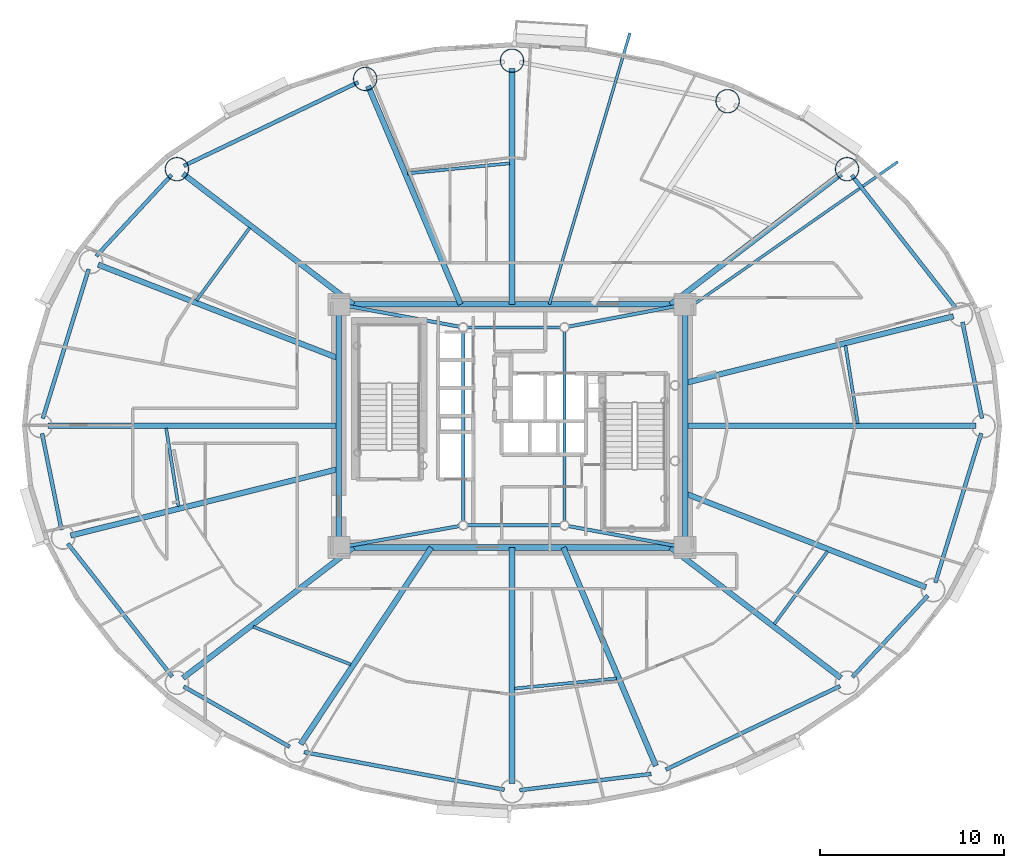
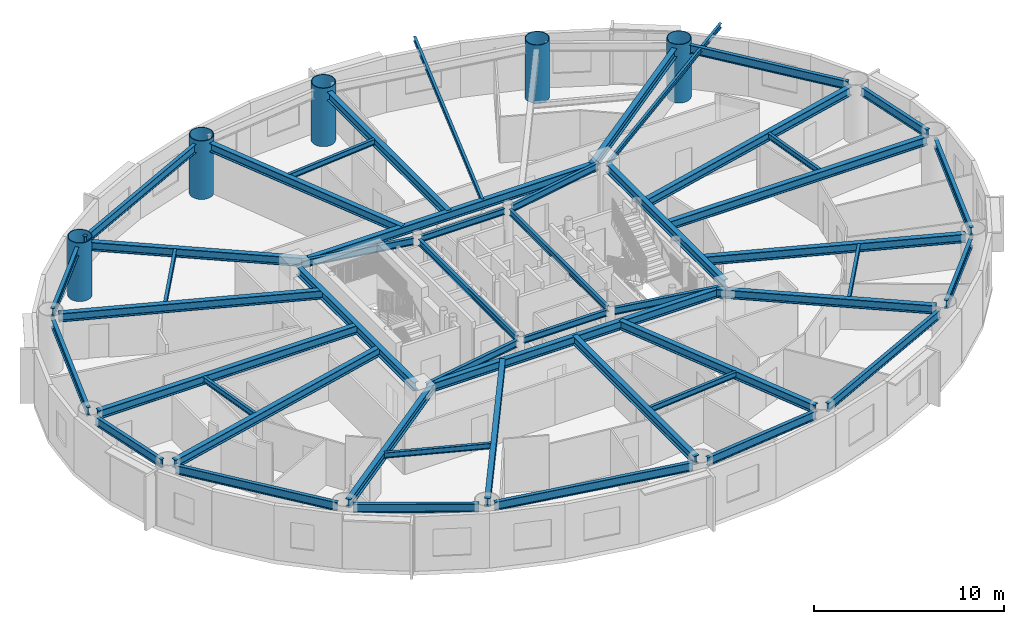
# One storey, part 3 of 18: 49 beams, 5 columns.
"""IFC4 building model written with IfcOpenShell, lengths in metres."""

from ifc_helpers import new_model, si_unit, direction, frame, origin, origin_2d, place, context, subcontext, project, spatial, hollow_circle, i_section, extrude, material, material_profile, profile_set, type_object, element, save


model = new_model("IFC4")

# Units and contexts
model_context = context("Model", 3, precision=1e-05, world=origin(), true_north=direction((0.0, 1.0)))
body_context = subcontext(model_context, "Body", "Model", "MODEL_VIEW")
ifc_project = project(units=[si_unit("LENGTHUNIT", "METRE"), si_unit("AREAUNIT", "SQUARE_METRE"), si_unit("VOLUMEUNIT", "CUBIC_METRE"), si_unit("PLANEANGLEUNIT", "RADIAN"), si_unit("MASSUNIT", "GRAM", prefix="KILO")], contexts=[model_context])

# Site, building, storey
site_placement = place(None, origin())
site = spatial("IfcSite", under=ifc_project, at=site_placement, CompositionType="ELEMENT")
building_placement = place(site_placement, origin())
building = spatial("IfcBuilding", under=site, at=building_placement, Name="Linh Dai School and Residence Tower", CompositionType="ELEMENT")
storey_placement = place(building_placement, frame((0.0, 0.0, 186.14990234375)))
storey = spatial("IfcBuildingStorey", under=building, at=storey_placement, Name="L45", CompositionType="ELEMENT", Elevation=186.14990234375)

# Columns
ifc_material = material(Name="Structural Steel S355JR", Category="steel")
ifc_material_profile_1 = material_profile(ifc_material, hollow_circle(Radius=0.64990234375, WallThickness=0.0400390625, at=origin_2d()), Name="CHS 1300x40")
ifc_profile_set_1 = profile_set([ifc_material_profile_1], Name="Structural Steel S355JR")
column_type = type_object("IfcColumnType", Name="COL-MC4", PredefinedType="COLUMN", material=ifc_profile_set_1)
for number, where, z_axis, x_axis, name in (
    (1, (54.1923828125, 40.941650390625, 0.0), (0.0, 0.0, 1.0), (1.0, 0.0, 0.0), "L45 Perimeter CFT Mega-Column MC03"),
    (2, (47.70556640625, 44.630859375, 0.0), (0.0, 0.0, 1.0), (1.0, 0.0, 0.0), "L45 Perimeter CFT Mega-Column MC04"),
    (3, (36.0, 46.830078125, 0.0), (0.0, 0.0, 1.0), (1.0, 0.0, 0.0), "L45 Perimeter CFT Mega-Column MC05"),
    (4, (28.026611328125, 45.84130859375, 0.0), (0.0, 0.0, 1.0), (1.0, 0.0, 0.0), "L45 Perimeter CFT Mega-Column MC06"),
    (5, (17.8076171875, 40.941650390625, 0.0), (0.0, 0.0, 1.0), (1.0, 0.0, 0.0), "L45 Perimeter CFT Mega-Column MC07"),
):
    element("IfcColumn", number, at=place(storey_placement, frame(where, z_axis=z_axis, x_axis=x_axis)), inside=storey, type_object=column_type, Name=name, PredefinedType="COLUMN", context=body_context, shape_type="SweptSolid", body=[
        extrude(hollow_circle(Radius=0.64990234375, WallThickness=0.0400390625, at=origin_2d()), origin(), (0.0, 0.0, 1.0), 3.75),
    ])

# Beams
ifc_material_profile_2 = material_profile(ifc_material, i_section(OverallWidth=0.14990234375, OverallDepth=0.300048828125, WebThickness=0.007080078125, FlangeThickness=0.0107421875, at=origin_2d()), Name="IPE 300")
ifc_profile_set_2 = profile_set([ifc_material_profile_2], Name="Structural Steel S355JR")
beam_type_1 = type_object("IfcBeamType", Name="BM-BALC-CANT", PredefinedType="BEAM", material=ifc_profile_set_2)
beam_1_placement = place(storey_placement, frame((45.39990234375, 33.270263671875, 3.35009765625), z_axis=(0.819647683793, 0.572867938056, 0.0), x_axis=(-0.572867938056, 0.819647683793, 0.0)))
element("IfcBeam", 6, at=beam_1_placement, inside=storey, type_object=beam_type_1, Name="L46 Balcony Continuous Cantilever Beam 05", PredefinedType="BEAM", context=body_context, shape_type="SweptSolid", body=[
    extrude(i_section(OverallWidth=0.14990234375, OverallDepth=0.300048828125, WebThickness=0.007080078125, FlangeThickness=0.0107421875, at=origin_2d()), origin(), (0.0, 0.0, 1.0), 14.089599609375),
])
beam_2_placement = place(storey_placement, frame((38.0283203125, 33.60009765625, 3.35009765625), z_axis=(0.284768682826, 0.958596263962, 0.0), x_axis=(-0.958596263962, 0.284768682826, 0.0)))
element("IfcBeam", 7, at=beam_2_placement, inside=storey, type_object=beam_type_1, Name="L46 Balcony Continuous Cantilever Beam 09", PredefinedType="BEAM", context=body_context, shape_type="SweptSolid", body=[
    extrude(i_section(OverallWidth=0.14990234375, OverallDepth=0.300048828125, WebThickness=0.007080078125, FlangeThickness=0.0107421875, at=origin_2d()), origin(), (0.0, 0.0, 1.0), 15.368408203125),
])
ifc_material_profile_3 = material_profile(ifc_material, i_section(OverallWidth=0.2099609375, OverallDepth=0.550048828125, WebThickness=0.010986328125, FlangeThickness=0.01708984375, FilletRadius=0.02392578125, at=origin_2d()), Name="IPE 550")
ifc_profile_set_3 = profile_set([ifc_material_profile_3], Name="Structural Steel S355JR")
beam_type_2 = type_object("IfcBeamType", Name="BM-RB55", PredefinedType="BEAM", material=ifc_profile_set_3)
beam_3_placement = place(storey_placement, frame((61.5166015625, 27.41162109375, 3.22509765625), z_axis=(-0.198420723955, 0.980116940117, 0.0), x_axis=(-0.980116940117, -0.198420723955, 0.0)))
element("IfcBeam", 8, at=beam_3_placement, inside=storey, type_object=beam_type_2, Name="L45 Perimeter Elliptical Ring Beam 01", PredefinedType="BEAM", context=body_context, shape_type="SweptSolid", body=[
    extrude(i_section(OverallWidth=0.2099609375, OverallDepth=0.550048828125, WebThickness=0.010986328125, FlangeThickness=0.01708984375, FilletRadius=0.02392578125, at=origin_2d()), origin(), (0.0, 0.0, 1.0), 5.33642578125),
])
beam_4_placement = place(storey_placement, frame((60.115478515625, 33.38427734375, 3.22509765625), z_axis=(-0.616852281883, 0.787078942887, 0.0), x_axis=(-0.787078942887, -0.616852281883, 0.0)))
element("IfcBeam", 9, at=beam_4_placement, inside=storey, type_object=beam_type_2, Name="L45 Perimeter Elliptical Ring Beam 02", PredefinedType="BEAM", context=body_context, shape_type="SweptSolid", body=[
    extrude(i_section(OverallWidth=0.2099609375, OverallDepth=0.550048828125, WebThickness=0.010986328125, FlangeThickness=0.01708984375, FilletRadius=0.02392578125, at=origin_2d()), origin(), (0.0, 0.0, 1.0), 9.181884765625),
])
beam_5_placement = place(storey_placement, frame((27.64794921875, 45.659912109375, 3.22509765625), z_axis=(-0.901708141823, -0.432345263614, 0.0), x_axis=(0.432345263614, -0.901708141823, 0.0)))
element("IfcBeam", 10, at=beam_5_placement, inside=storey, type_object=beam_type_2, Name="L45 Perimeter Elliptical Ring Beam 06", PredefinedType="BEAM", context=body_context, shape_type="SweptSolid", body=[
    extrude(i_section(OverallWidth=0.2099609375, OverallDepth=0.550048828125, WebThickness=0.010986328125, FlangeThickness=0.01708984375, FilletRadius=0.02392578125, at=origin_2d()), origin(), (0.0, 0.0, 1.0), 10.4931640625),
])
beam_6_placement = place(storey_placement, frame((17.521728515625, 40.6337890625, 3.22509765625), z_axis=(-0.680378035197, -0.732861330145, 0.0), x_axis=(0.732861330145, -0.680378035197, 0.0)))
element("IfcBeam", 11, at=beam_6_placement, inside=storey, type_object=beam_type_2, Name="L45 Perimeter Elliptical Ring Beam 07", PredefinedType="BEAM", context=body_context, shape_type="SweptSolid", body=[
    extrude(i_section(OverallWidth=0.2099609375, OverallDepth=0.550048828125, WebThickness=0.010986328125, FlangeThickness=0.01708984375, FilletRadius=0.02392578125, at=origin_2d()), origin(), (0.0, 0.0, 1.0), 6.024169921875),
])
beam_7_placement = place(storey_placement, frame((13.01416015625, 35.509765625, 3.22509765625), z_axis=(-0.29363681283, -0.955917058196, 0.0), x_axis=(0.955917058196, -0.29363681283, 0.0)))
element("IfcBeam", 12, at=beam_7_placement, inside=storey, type_object=beam_type_2, Name="L45 Perimeter Elliptical Ring Beam 08", PredefinedType="BEAM", context=body_context, shape_type="SweptSolid", body=[
    extrude(i_section(OverallWidth=0.2099609375, OverallDepth=0.550048828125, WebThickness=0.010986328125, FlangeThickness=0.01708984375, FilletRadius=0.02392578125, at=origin_2d()), origin(), (0.0, 0.0, 1.0), 8.482421875),
])
beam_8_placement = place(storey_placement, frame((10.4833984375, 26.58837890625, 3.22509765625), z_axis=(0.198420723955, -0.980116940117, 0.0), x_axis=(0.980116940117, 0.198420723955, 0.0)))
element("IfcBeam", 13, at=beam_8_placement, inside=storey, type_object=beam_type_2, Name="L45 Perimeter Elliptical Ring Beam 09", PredefinedType="BEAM", context=body_context, shape_type="SweptSolid", body=[
    extrude(i_section(OverallWidth=0.2099609375, OverallDepth=0.550048828125, WebThickness=0.010986328125, FlangeThickness=0.01708984375, FilletRadius=0.02392578125, at=origin_2d()), origin(), (0.0, 0.0, 1.0), 5.33642578125),
])
beam_9_placement = place(storey_placement, frame((11.884521484375, 20.61572265625, 3.22509765625), z_axis=(0.616852281883, -0.787078942887, 0.0), x_axis=(0.787078942887, 0.616852281883, 0.0)))
element("IfcBeam", 14, at=beam_9_placement, inside=storey, type_object=beam_type_2, Name="L45 Perimeter Elliptical Ring Beam 10", PredefinedType="BEAM", context=body_context, shape_type="SweptSolid", body=[
    extrude(i_section(OverallWidth=0.2099609375, OverallDepth=0.550048828125, WebThickness=0.010986328125, FlangeThickness=0.01708984375, FilletRadius=0.02392578125, at=origin_2d()), origin(), (0.0, 0.0, 1.0), 9.181884765625),
])
beam_10_placement = place(storey_placement, frame((18.172607421875, 12.8505859375, 3.22509765625), z_axis=(0.869262164011, -0.49435138335, 0.0), x_axis=(0.49435138335, 0.869262164011, 0.0)))
element("IfcBeam", 15, at=beam_10_placement, inside=storey, type_object=beam_type_2, Name="L45 Perimeter Elliptical Ring Beam 11", PredefinedType="BEAM", context=body_context, shape_type="SweptSolid", body=[
    extrude(i_section(OverallWidth=0.2099609375, OverallDepth=0.550048828125, WebThickness=0.010986328125, FlangeThickness=0.01708984375, FilletRadius=0.02392578125, at=origin_2d()), origin(), (0.0, 0.0, 1.0), 6.62255859375),
])
beam_11_placement = place(storey_placement, frame((24.707275390625, 9.29150390625, 3.22509765625), z_axis=(0.98280721278, -0.184634727255, 0.0), x_axis=(0.184634727255, 0.98280721278, 0.0)))
element("IfcBeam", 16, at=beam_11_placement, inside=storey, type_object=beam_type_2, Name="L45 Perimeter Elliptical Ring Beam 12", PredefinedType="BEAM", context=body_context, shape_type="SweptSolid", body=[
    extrude(i_section(OverallWidth=0.2099609375, OverallDepth=0.550048828125, WebThickness=0.010986328125, FlangeThickness=0.01708984375, FilletRadius=0.02392578125, at=origin_2d()), origin(), (0.0, 0.0, 1.0), 11.0703125),
])
beam_12_placement = place(storey_placement, frame((36.416748046875, 7.2216796875, 3.22509765625), z_axis=(0.992400597975, 0.123048986741, 0.0), x_axis=(-0.123048986741, 0.992400597975, 0.0)))
element("IfcBeam", 17, at=beam_12_placement, inside=storey, type_object=beam_type_2, Name="L45 Perimeter Elliptical Ring Beam 13", PredefinedType="BEAM", context=body_context, shape_type="SweptSolid", body=[
    extrude(i_section(OverallWidth=0.2099609375, OverallDepth=0.550048828125, WebThickness=0.010986328125, FlangeThickness=0.01708984375, FilletRadius=0.02392578125, at=origin_2d()), origin(), (0.0, 0.0, 1.0), 7.1943359375),
])
beam_13_placement = place(storey_placement, frame((44.35205078125, 8.340087890625, 3.22509765625), z_axis=(0.901708141823, 0.432345263614, 0.0), x_axis=(-0.432345263614, 0.901708141823, 0.0)))
element("IfcBeam", 18, at=beam_13_placement, inside=storey, type_object=beam_type_2, Name="L45 Perimeter Elliptical Ring Beam 14", PredefinedType="BEAM", context=body_context, shape_type="SweptSolid", body=[
    extrude(i_section(OverallWidth=0.2099609375, OverallDepth=0.550048828125, WebThickness=0.010986328125, FlangeThickness=0.01708984375, FilletRadius=0.02392578125, at=origin_2d()), origin(), (0.0, 0.0, 1.0), 10.4931640625),
])
beam_14_placement = place(storey_placement, frame((54.478271484375, 13.3662109375, 3.22509765625), z_axis=(0.680378035197, 0.732861330145, 0.0), x_axis=(-0.732861330145, 0.680378035197, 0.0)))
element("IfcBeam", 19, at=beam_14_placement, inside=storey, type_object=beam_type_2, Name="L45 Perimeter Elliptical Ring Beam 15", PredefinedType="BEAM", context=body_context, shape_type="SweptSolid", body=[
    extrude(i_section(OverallWidth=0.2099609375, OverallDepth=0.550048828125, WebThickness=0.010986328125, FlangeThickness=0.01708984375, FilletRadius=0.02392578125, at=origin_2d()), origin(), (0.0, 0.0, 1.0), 6.024169921875),
])
beam_15_placement = place(storey_placement, frame((58.98583984375, 18.490234375, 3.22509765625), z_axis=(0.29363681283, 0.955917058196, 0.0), x_axis=(-0.955917058196, 0.29363681283, 0.0)))
element("IfcBeam", 20, at=beam_15_placement, inside=storey, type_object=beam_type_2, Name="L45 Perimeter Elliptical Ring Beam 16", PredefinedType="BEAM", context=body_context, shape_type="SweptSolid", body=[
    extrude(i_section(OverallWidth=0.2099609375, OverallDepth=0.550048828125, WebThickness=0.010986328125, FlangeThickness=0.01708984375, FilletRadius=0.02392578125, at=origin_2d()), origin(), (0.0, 0.0, 1.0), 8.482421875),
])
ifc_material_profile_4 = material_profile(ifc_material, i_section(OverallWidth=0.300048828125, OverallDepth=0.550048828125, WebThickness=0.014892578125, FlangeThickness=0.029052734375, FilletRadius=0.027099609375, at=origin_2d()), Name="HEB 550")
ifc_profile_set_4 = profile_set([ifc_material_profile_4], Name="Structural Steel S355JR")
beam_type_3 = type_object("IfcBeamType", Name="BM-RG55", PredefinedType="BEAM", material=ifc_profile_set_4)
beam_16_placement = place(storey_placement, frame((27.02001953125, 20.39990234375, 3.22509765625), z_axis=(1.0, 0.0, 0.0), x_axis=(0.0, 1.0, 0.0)))
element("IfcBeam", 21, at=beam_16_placement, inside=storey, type_object=beam_type_3, Name="L45 Core Perimeter Coupling Girder 1", PredefinedType="BEAM", context=body_context, shape_type="SweptSolid", body=[
    extrude(i_section(OverallWidth=0.300048828125, OverallDepth=0.550048828125, WebThickness=0.014892578125, FlangeThickness=0.029052734375, FilletRadius=0.027099609375, at=origin_2d()), origin(), (0.0, 0.0, 1.0), 17.9599609375),
])
beam_17_placement = place(storey_placement, frame((45.39990234375, 20.820068359375, 3.22509765625), z_axis=(0.0, 1.0, 0.0), x_axis=(-1.0, 0.0, 0.0)))
element("IfcBeam", 22, at=beam_17_placement, inside=storey, type_object=beam_type_3, Name="L45 Core Perimeter Coupling Girder 2", PredefinedType="BEAM", context=body_context, shape_type="SweptSolid", body=[
    extrude(i_section(OverallWidth=0.300048828125, OverallDepth=0.550048828125, WebThickness=0.014892578125, FlangeThickness=0.029052734375, FilletRadius=0.027099609375, at=origin_2d()), origin(), (0.0, 0.0, 1.0), 12.35986328125),
])
beam_18_placement = place(storey_placement, frame((44.97998046875, 33.60009765625, 3.22509765625), z_axis=(-1.0, 0.0, 0.0), x_axis=(0.0, -1.0, 0.0)))
element("IfcBeam", 23, at=beam_18_placement, inside=storey, type_object=beam_type_3, Name="L45 Core Perimeter Coupling Girder 3", PredefinedType="BEAM", context=body_context, shape_type="SweptSolid", body=[
    extrude(i_section(OverallWidth=0.300048828125, OverallDepth=0.550048828125, WebThickness=0.014892578125, FlangeThickness=0.029052734375, FilletRadius=0.027099609375, at=origin_2d()), origin(), (0.0, 0.0, 1.0), 17.9599609375),
])
beam_19_placement = place(storey_placement, frame((26.60009765625, 33.179931640625, 3.22509765625), z_axis=(0.0, -1.0, 0.0), x_axis=(1.0, 0.0, 0.0)))
element("IfcBeam", 24, at=beam_19_placement, inside=storey, type_object=beam_type_3, Name="L45 Core Perimeter Coupling Girder 4", PredefinedType="BEAM", context=body_context, shape_type="SweptSolid", body=[
    extrude(i_section(OverallWidth=0.300048828125, OverallDepth=0.550048828125, WebThickness=0.014892578125, FlangeThickness=0.029052734375, FilletRadius=0.027099609375, at=origin_2d()), origin(), (0.0, 0.0, 1.0), 12.35986328125),
])
beam_20_placement = place(storey_placement, frame((45.39990234375, 27.0, 3.22509765625), z_axis=(1.0, 0.0, 0.0), x_axis=(0.0, 1.0, 0.0)))
element("IfcBeam", 25, at=beam_20_placement, inside=storey, type_object=beam_type_3, Name="L45 Primary Radial Floor Girder 01", PredefinedType="BEAM", context=body_context, shape_type="SweptSolid", body=[
    extrude(i_section(OverallWidth=0.300048828125, OverallDepth=0.550048828125, WebThickness=0.014892578125, FlangeThickness=0.029052734375, FilletRadius=0.027099609375, at=origin_2d()), origin(), (0.0, 0.0, 1.0), 15.780029296875),
])
beam_21_placement = place(storey_placement, frame((45.39990234375, 29.33447265625, 3.22509765625), z_axis=(0.970514508209, 0.24104271272, 0.0), x_axis=(-0.24104271272, 0.970514508209, 0.0)))
element("IfcBeam", 26, at=beam_21_placement, inside=storey, type_object=beam_type_3, Name="L45 Primary Radial Floor Girder 02", PredefinedType="BEAM", context=body_context, shape_type="SweptSolid", body=[
    extrude(i_section(OverallWidth=0.300048828125, OverallDepth=0.550048828125, WebThickness=0.014892578125, FlangeThickness=0.029052734375, FilletRadius=0.027099609375, at=origin_2d()), origin(), (0.0, 0.0, 1.0), 15.009521484375),
])
beam_22_placement = place(storey_placement, frame((44.6123046875, 33.60009765625, 3.22509765625), z_axis=(0.793732831925, 0.608266546445, 0.0), x_axis=(-0.608266546445, 0.793732831925, 0.0)))
element("IfcBeam", 27, at=beam_22_placement, inside=storey, type_object=beam_type_3, Name="L45 Primary Radial Floor Girder 03", PredefinedType="BEAM", context=body_context, shape_type="SweptSolid", body=[
    extrude(i_section(OverallWidth=0.300048828125, OverallDepth=0.550048828125, WebThickness=0.014892578125, FlangeThickness=0.029052734375, FilletRadius=0.027099609375, at=origin_2d()), origin(), (0.0, 0.0, 1.0), 11.64990234375),
])
beam_23_placement = place(storey_placement, frame((36.0, 33.60009765625, 3.22509765625), z_axis=(0.0, 1.0, 0.0), x_axis=(-1.0, 0.0, 0.0)))
element("IfcBeam", 28, at=beam_23_placement, inside=storey, type_object=beam_type_3, Name="L45 Primary Radial Floor Girder 05", PredefinedType="BEAM", context=body_context, shape_type="SweptSolid", body=[
    extrude(i_section(OverallWidth=0.300048828125, OverallDepth=0.550048828125, WebThickness=0.014892578125, FlangeThickness=0.029052734375, FilletRadius=0.027099609375, at=origin_2d()), origin(), (0.0, 0.0, 1.0), 12.809814453125),
])
beam_24_placement = place(storey_placement, frame((33.20703125, 33.60009765625, 3.22509765625), z_axis=(-0.389721661447, 0.920932693849, 0.0), x_axis=(-0.920932693849, -0.389721661447, 0.0)))
element("IfcBeam", 29, at=beam_24_placement, inside=storey, type_object=beam_type_3, Name="L45 Primary Radial Floor Girder 06", PredefinedType="BEAM", context=body_context, shape_type="SweptSolid", body=[
    extrude(i_section(OverallWidth=0.300048828125, OverallDepth=0.550048828125, WebThickness=0.014892578125, FlangeThickness=0.029052734375, FilletRadius=0.027099609375, at=origin_2d()), origin(), (0.0, 0.0, 1.0), 12.872314453125),
])
beam_25_placement = place(storey_placement, frame((27.3876953125, 33.60009765625, 3.22509765625), z_axis=(-0.793732831925, 0.608266546445, 0.0), x_axis=(-0.608266546445, -0.793732831925, 0.0)))
element("IfcBeam", 30, at=beam_25_placement, inside=storey, type_object=beam_type_3, Name="L45 Primary Radial Floor Girder 07", PredefinedType="BEAM", context=body_context, shape_type="SweptSolid", body=[
    extrude(i_section(OverallWidth=0.300048828125, OverallDepth=0.550048828125, WebThickness=0.014892578125, FlangeThickness=0.029052734375, FilletRadius=0.027099609375, at=origin_2d()), origin(), (0.0, 0.0, 1.0), 11.64990234375),
])
beam_26_placement = place(storey_placement, frame((26.60009765625, 30.663818359375, 3.22509765625), z_axis=(-0.931722873254, 0.363170053081, 0.0), x_axis=(-0.363170053081, -0.931722873254, 0.0)))
element("IfcBeam", 31, at=beam_26_placement, inside=storey, type_object=beam_type_3, Name="L45 Primary Radial Floor Girder 08", PredefinedType="BEAM", context=body_context, shape_type="SweptSolid", body=[
    extrude(i_section(OverallWidth=0.300048828125, OverallDepth=0.550048828125, WebThickness=0.014892578125, FlangeThickness=0.029052734375, FilletRadius=0.027099609375, at=origin_2d()), origin(), (0.0, 0.0, 1.0), 14.029052734375),
])
beam_27_placement = place(storey_placement, frame((26.60009765625, 27.0, 3.22509765625), z_axis=(-1.0, 0.0, 0.0), x_axis=(0.0, -1.0, 0.0)))
element("IfcBeam", 32, at=beam_27_placement, inside=storey, type_object=beam_type_3, Name="L45 Primary Radial Floor Girder 09", PredefinedType="BEAM", context=body_context, shape_type="SweptSolid", body=[
    extrude(i_section(OverallWidth=0.300048828125, OverallDepth=0.550048828125, WebThickness=0.014892578125, FlangeThickness=0.029052734375, FilletRadius=0.027099609375, at=origin_2d()), origin(), (0.0, 0.0, 1.0), 15.780029296875),
])
beam_28_placement = place(storey_placement, frame((26.60009765625, 24.66552734375, 3.22509765625), z_axis=(-0.970514508209, -0.24104271272, 0.0), x_axis=(0.24104271272, -0.970514508209, 0.0)))
element("IfcBeam", 33, at=beam_28_placement, inside=storey, type_object=beam_type_3, Name="L45 Primary Radial Floor Girder 10", PredefinedType="BEAM", context=body_context, shape_type="SweptSolid", body=[
    extrude(i_section(OverallWidth=0.300048828125, OverallDepth=0.550048828125, WebThickness=0.014892578125, FlangeThickness=0.029052734375, FilletRadius=0.027099609375, at=origin_2d()), origin(), (0.0, 0.0, 1.0), 15.009521484375),
])
beam_29_placement = place(storey_placement, frame((27.3876953125, 20.39990234375, 3.22509765625), z_axis=(-0.793732831925, -0.608266546445, 0.0), x_axis=(0.608266546445, -0.793732831925, 0.0)))
element("IfcBeam", 34, at=beam_29_placement, inside=storey, type_object=beam_type_3, Name="L45 Primary Radial Floor Girder 11", PredefinedType="BEAM", context=body_context, shape_type="SweptSolid", body=[
    extrude(i_section(OverallWidth=0.300048828125, OverallDepth=0.550048828125, WebThickness=0.014892578125, FlangeThickness=0.029052734375, FilletRadius=0.027099609375, at=origin_2d()), origin(), (0.0, 0.0, 1.0), 11.64990234375),
])
beam_30_placement = place(storey_placement, frame((31.6181640625, 20.39990234375, 3.22509765625), z_axis=(-0.553117176317, -0.833103468522, 0.0), x_axis=(0.833103468522, -0.553117176317, 0.0)))
element("IfcBeam", 35, at=beam_30_placement, inside=storey, type_object=beam_type_3, Name="L45 Primary Radial Floor Girder 12", PredefinedType="BEAM", context=body_context, shape_type="SweptSolid", body=[
    extrude(i_section(OverallWidth=0.300048828125, OverallDepth=0.550048828125, WebThickness=0.014892578125, FlangeThickness=0.029052734375, FilletRadius=0.027099609375, at=origin_2d()), origin(), (0.0, 0.0, 1.0), 12.820556640625),
])
beam_31_placement = place(storey_placement, frame((36.0, 20.39990234375, 3.22509765625), z_axis=(0.0, -1.0, 0.0), x_axis=(1.0, 0.0, 0.0)))
element("IfcBeam", 36, at=beam_31_placement, inside=storey, type_object=beam_type_3, Name="L45 Primary Radial Floor Girder 13", PredefinedType="BEAM", context=body_context, shape_type="SweptSolid", body=[
    extrude(i_section(OverallWidth=0.300048828125, OverallDepth=0.550048828125, WebThickness=0.014892578125, FlangeThickness=0.029052734375, FilletRadius=0.027099609375, at=origin_2d()), origin(), (0.0, 0.0, 1.0), 12.809814453125),
])
beam_32_placement = place(storey_placement, frame((38.79296875, 20.39990234375, 3.22509765625), z_axis=(0.389721661447, -0.920932693849, 0.0), x_axis=(0.920932693849, 0.389721661447, 0.0)))
element("IfcBeam", 37, at=beam_32_placement, inside=storey, type_object=beam_type_3, Name="L45 Primary Radial Floor Girder 14", PredefinedType="BEAM", context=body_context, shape_type="SweptSolid", body=[
    extrude(i_section(OverallWidth=0.300048828125, OverallDepth=0.550048828125, WebThickness=0.014892578125, FlangeThickness=0.029052734375, FilletRadius=0.027099609375, at=origin_2d()), origin(), (0.0, 0.0, 1.0), 12.872314453125),
])
beam_33_placement = place(storey_placement, frame((44.6123046875, 20.39990234375, 3.22509765625), z_axis=(0.793732831925, -0.608266546445, 0.0), x_axis=(0.608266546445, 0.793732831925, 0.0)))
element("IfcBeam", 38, at=beam_33_placement, inside=storey, type_object=beam_type_3, Name="L45 Primary Radial Floor Girder 15", PredefinedType="BEAM", context=body_context, shape_type="SweptSolid", body=[
    extrude(i_section(OverallWidth=0.300048828125, OverallDepth=0.550048828125, WebThickness=0.014892578125, FlangeThickness=0.029052734375, FilletRadius=0.027099609375, at=origin_2d()), origin(), (0.0, 0.0, 1.0), 11.64990234375),
])
beam_34_placement = place(storey_placement, frame((45.39990234375, 23.336181640625, 3.22509765625), z_axis=(0.931722873254, -0.363170053081, 0.0), x_axis=(0.363170053081, 0.931722873254, 0.0)))
element("IfcBeam", 39, at=beam_34_placement, inside=storey, type_object=beam_type_3, Name="L45 Primary Radial Floor Girder 16", PredefinedType="BEAM", context=body_context, shape_type="SweptSolid", body=[
    extrude(i_section(OverallWidth=0.300048828125, OverallDepth=0.550048828125, WebThickness=0.014892578125, FlangeThickness=0.029052734375, FilletRadius=0.027099609375, at=origin_2d()), origin(), (0.0, 0.0, 1.0), 14.029052734375),
])
ifc_material_profile_5 = material_profile(ifc_material, i_section(OverallWidth=0.169921875, OverallDepth=0.360107421875, WebThickness=0.008056640625, FlangeThickness=0.0126953125, FilletRadius=0.01806640625, at=origin_2d()), Name="IPE 360")
ifc_profile_set_5 = profile_set([ifc_material_profile_5], Name="Structural Steel S355JR")
beam_type_4 = type_object("IfcBeamType", Name="BM-SB36", PredefinedType="BEAM", material=ifc_profile_set_5)
beam_35_placement = place(storey_placement, frame((54.775634765625, 27.12841796875, 3.320068359375), z_axis=(-0.156304675371, 0.987708888518, 0.0), x_axis=(-0.987708888518, -0.156304675371, 0.0)))
element("IfcBeam", 40, at=beam_35_placement, inside=storey, type_object=beam_type_4, Name="L45 Secondary Circumferential Floor Beam 01", PredefinedType="BEAM", context=body_context, shape_type="SweptSolid", body=[
    extrude(i_section(OverallWidth=0.169921875, OverallDepth=0.360107421875, WebThickness=0.008056640625, FlangeThickness=0.0126953125, FilletRadius=0.01806640625, at=origin_2d()), origin(), (0.0, 0.0, 1.0), 4.28759765625),
])
beam_36_placement = place(storey_placement, frame((35.87060546875, 41.260498046875, 3.320068359375), z_axis=(-0.995148179174, -0.098387506761, 0.0), x_axis=(0.098387506761, -0.995148179174, 0.0)))
element("IfcBeam", 41, at=beam_36_placement, inside=storey, type_object=beam_type_4, Name="L45 Secondary Circumferential Floor Beam 03", PredefinedType="BEAM", context=body_context, shape_type="SweptSolid", body=[
    extrude(i_section(OverallWidth=0.169921875, OverallDepth=0.360107421875, WebThickness=0.008056640625, FlangeThickness=0.0126953125, FilletRadius=0.01806640625, at=origin_2d()), origin(), (0.0, 0.0, 1.0), 5.56591796875),
])
beam_37_placement = place(storey_placement, frame((21.75439453125, 37.75341796875, 3.320068359375), z_axis=(-0.590804505267, -0.806814747359, 0.0), x_axis=(0.806814747359, -0.590804505267, 0.0)))
element("IfcBeam", 42, at=beam_37_placement, inside=storey, type_object=beam_type_4, Name="L45 Secondary Circumferential Floor Beam 04", PredefinedType="BEAM", context=body_context, shape_type="SweptSolid", body=[
    extrude(i_section(OverallWidth=0.169921875, OverallDepth=0.360107421875, WebThickness=0.008056640625, FlangeThickness=0.0126953125, FilletRadius=0.01806640625, at=origin_2d()), origin(), (0.0, 0.0, 1.0), 4.884765625),
])
beam_38_placement = place(storey_placement, frame((17.224365234375, 26.87158203125, 3.320068359375), z_axis=(0.156304675371, -0.987708888518, 0.0), x_axis=(0.987708888518, 0.156304675371, 0.0)))
element("IfcBeam", 43, at=beam_38_placement, inside=storey, type_object=beam_type_4, Name="L45 Secondary Circumferential Floor Beam 05", PredefinedType="BEAM", context=body_context, shape_type="SweptSolid", body=[
    extrude(i_section(OverallWidth=0.169921875, OverallDepth=0.360107421875, WebThickness=0.008056640625, FlangeThickness=0.0126953125, FilletRadius=0.01806640625, at=origin_2d()), origin(), (0.0, 0.0, 1.0), 4.28759765625),
])
beam_39_placement = place(storey_placement, frame((21.952392578125, 16.094970703125, 3.320068359375), z_axis=(0.932814887644, -0.360355914881, 0.0), x_axis=(0.360355914881, 0.932814887644, 0.0)))
element("IfcBeam", 44, at=beam_39_placement, inside=storey, type_object=beam_type_4, Name="L45 Secondary Circumferential Floor Beam 06", PredefinedType="BEAM", context=body_context, shape_type="SweptSolid", body=[
    extrude(i_section(OverallWidth=0.169921875, OverallDepth=0.360107421875, WebThickness=0.008056640625, FlangeThickness=0.0126953125, FilletRadius=0.01806640625, at=origin_2d()), origin(), (0.0, 0.0, 1.0), 5.67822265625),
])
beam_40_placement = place(storey_placement, frame((36.12939453125, 12.739501953125, 3.320068359375), z_axis=(0.995148179174, 0.098387506761, 0.0), x_axis=(-0.098387506761, 0.995148179174, 0.0)))
element("IfcBeam", 45, at=beam_40_placement, inside=storey, type_object=beam_type_4, Name="L45 Secondary Circumferential Floor Beam 07", PredefinedType="BEAM", context=body_context, shape_type="SweptSolid", body=[
    extrude(i_section(OverallWidth=0.169921875, OverallDepth=0.360107421875, WebThickness=0.008056640625, FlangeThickness=0.0126953125, FilletRadius=0.01806640625, at=origin_2d()), origin(), (0.0, 0.0, 1.0), 5.56591796875),
])
beam_41_placement = place(storey_placement, frame((50.24560546875, 16.24658203125, 3.320068359375), z_axis=(0.590804505267, 0.806814747359, 0.0), x_axis=(-0.806814747359, 0.590804505267, 0.0)))
element("IfcBeam", 46, at=beam_41_placement, inside=storey, type_object=beam_type_4, Name="L45 Secondary Circumferential Floor Beam 08", PredefinedType="BEAM", context=body_context, shape_type="SweptSolid", body=[
    extrude(i_section(OverallWidth=0.169921875, OverallDepth=0.360107421875, WebThickness=0.008056640625, FlangeThickness=0.0126953125, FilletRadius=0.01806640625, at=origin_2d()), origin(), (0.0, 0.0, 1.0), 4.884765625),
])
ifc_material_profile_6 = material_profile(ifc_material, i_section(OverallWidth=0.179931640625, OverallDepth=0.39990234375, WebThickness=0.008544921875, FlangeThickness=0.013427734375, FilletRadius=0.02099609375, at=origin_2d()), Name="IPE 400")
ifc_profile_set_6 = profile_set([ifc_material_profile_6], Name="Structural Steel S355JR")
beam_type_5 = type_object("IfcBeamType", Name="BM-SB40", PredefinedType="BEAM", material=ifc_profile_set_6)
beam_42_placement = place(storey_placement, frame((33.573974609375, 21.60009765625, 3.300048828125), z_axis=(1.0, 0.0, 0.0), x_axis=(0.0, 1.0, 0.0)))
element("IfcBeam", 47, at=beam_42_placement, inside=storey, type_object=beam_type_5, Name="L45 Core Mast Pier Tie Beam 1", PredefinedType="BEAM", context=body_context, shape_type="SweptSolid", body=[
    extrude(i_section(OverallWidth=0.179931640625, OverallDepth=0.39990234375, WebThickness=0.008544921875, FlangeThickness=0.013427734375, FilletRadius=0.02099609375, at=origin_2d()), origin(), (0.0, 0.0, 1.0), 5.052001953125),
])
beam_43_placement = place(storey_placement, frame((38.85009765625, 21.823974609375, 3.300048828125), z_axis=(0.0, 1.0, 0.0), x_axis=(-1.0, 0.0, 0.0)))
element("IfcBeam", 48, at=beam_43_placement, inside=storey, type_object=beam_type_5, Name="L45 Core Mast Pier Tie Beam 2", PredefinedType="BEAM", context=body_context, shape_type="SweptSolid", body=[
    extrude(i_section(OverallWidth=0.179931640625, OverallDepth=0.39990234375, WebThickness=0.008544921875, FlangeThickness=0.013427734375, FilletRadius=0.02099609375, at=origin_2d()), origin(), (0.0, 0.0, 1.0), 10.302001953125),
])
beam_44_placement = place(storey_placement, frame((38.6259765625, 32.35009765625, 3.300048828125), z_axis=(-1.0, 0.0, 0.0), x_axis=(0.0, -1.0, 0.0)))
element("IfcBeam", 49, at=beam_44_placement, inside=storey, type_object=beam_type_5, Name="L45 Core Mast Pier Tie Beam 3", PredefinedType="BEAM", context=body_context, shape_type="SweptSolid", body=[
    extrude(i_section(OverallWidth=0.179931640625, OverallDepth=0.39990234375, WebThickness=0.008544921875, FlangeThickness=0.013427734375, FilletRadius=0.02099609375, at=origin_2d()), origin(), (0.0, 0.0, 1.0), 5.052001953125),
])
beam_45_placement = place(storey_placement, frame((33.35009765625, 32.1259765625, 3.300048828125), z_axis=(0.0, -1.0, 0.0), x_axis=(1.0, 0.0, 0.0)))
element("IfcBeam", 50, at=beam_45_placement, inside=storey, type_object=beam_type_5, Name="L45 Core Mast Pier Tie Beam 4", PredefinedType="BEAM", context=body_context, shape_type="SweptSolid", body=[
    extrude(i_section(OverallWidth=0.179931640625, OverallDepth=0.39990234375, WebThickness=0.008544921875, FlangeThickness=0.013427734375, FilletRadius=0.02099609375, at=origin_2d()), origin(), (0.0, 0.0, 1.0), 10.302001953125),
])
ifc_material_profile_7 = material_profile(ifc_material, i_section(OverallWidth=0.18994140625, OverallDepth=0.449951171875, WebThickness=0.009521484375, FlangeThickness=0.0146484375, FilletRadius=0.02099609375, at=origin_2d()), Name="IPE 450")
ifc_profile_set_7 = profile_set([ifc_material_profile_7], Name="Structural Steel S355JR")
beam_type_6 = type_object("IfcBeamType", Name="BM-SB45", PredefinedType="BEAM", material=ifc_profile_set_7)
beam_46_placement = place(storey_placement, frame((27.013427734375, 20.4736328125, 3.275146484375), z_axis=(0.984565969371, 0.175013862185, 0.0), x_axis=(-0.175013862185, 0.984565969371, 0.0)))
element("IfcBeam", 51, at=beam_46_placement, inside=storey, type_object=beam_type_6, Name="L45 Core Corner-to-Mast Pier Beam 1", PredefinedType="BEAM", context=body_context, shape_type="SweptSolid", body=[
    extrude(i_section(OverallWidth=0.18994140625, OverallDepth=0.449951171875, WebThickness=0.009521484375, FlangeThickness=0.0146484375, FilletRadius=0.02099609375, at=origin_2d()), origin(), (0.0, 0.0, 1.0), 6.2119140625),
])
beam_47_placement = place(storey_placement, frame((44.98681640625, 20.4755859375, 3.275146484375), z_axis=(-0.983627428732, 0.180213987933, 0.0), x_axis=(-0.180213987933, -0.983627428732, 0.0)))
element("IfcBeam", 52, at=beam_47_placement, inside=storey, type_object=beam_type_6, Name="L45 Core Corner-to-Mast Pier Beam 2", PredefinedType="BEAM", context=body_context, shape_type="SweptSolid", body=[
    extrude(i_section(OverallWidth=0.18994140625, OverallDepth=0.449951171875, WebThickness=0.009521484375, FlangeThickness=0.0146484375, FilletRadius=0.02099609375, at=origin_2d()), origin(), (0.0, 0.0, 1.0), 6.014892578125),
])
beam_48_placement = place(storey_placement, frame((44.987548828125, 33.521240234375, 3.275146484375), z_axis=(-0.982277147686, -0.187434268836, 0.0), x_axis=(0.187434268836, -0.982277147686, 0.0)))
element("IfcBeam", 53, at=beam_48_placement, inside=storey, type_object=beam_type_6, Name="L45 Core Corner-to-Mast Pier Beam 3", PredefinedType="BEAM", context=body_context, shape_type="SweptSolid", body=[
    extrude(i_section(OverallWidth=0.18994140625, OverallDepth=0.449951171875, WebThickness=0.009521484375, FlangeThickness=0.0146484375, FilletRadius=0.02099609375, at=origin_2d()), origin(), (0.0, 0.0, 1.0), 6.024169921875),
])
beam_49_placement = place(storey_placement, frame((27.012939453125, 33.5234375, 3.275146484375), z_axis=(0.983286429055, -0.182065368579, 0.0), x_axis=(0.182065368579, 0.983286429055, 0.0)))
element("IfcBeam", 54, at=beam_49_placement, inside=storey, type_object=beam_type_6, Name="L45 Core Corner-to-Mast Pier Beam 4", PredefinedType="BEAM", context=body_context, shape_type="SweptSolid", body=[
    extrude(i_section(OverallWidth=0.18994140625, OverallDepth=0.449951171875, WebThickness=0.009521484375, FlangeThickness=0.0146484375, FilletRadius=0.02099609375, at=origin_2d()), origin(), (0.0, 0.0, 1.0), 6.220703125),
])

save(model, "model.ifc")
